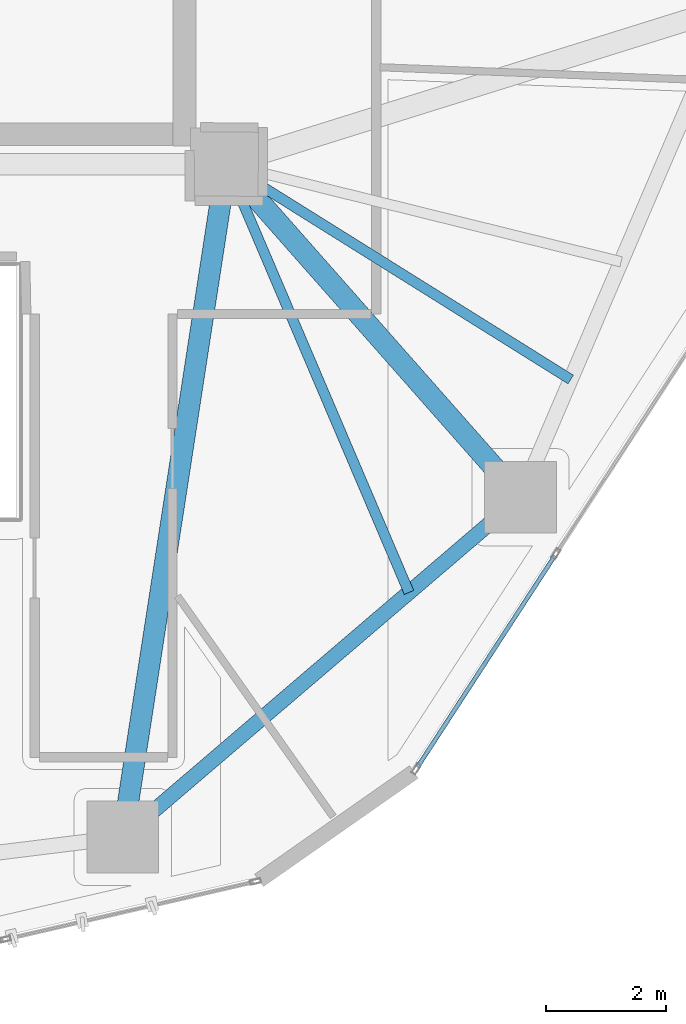
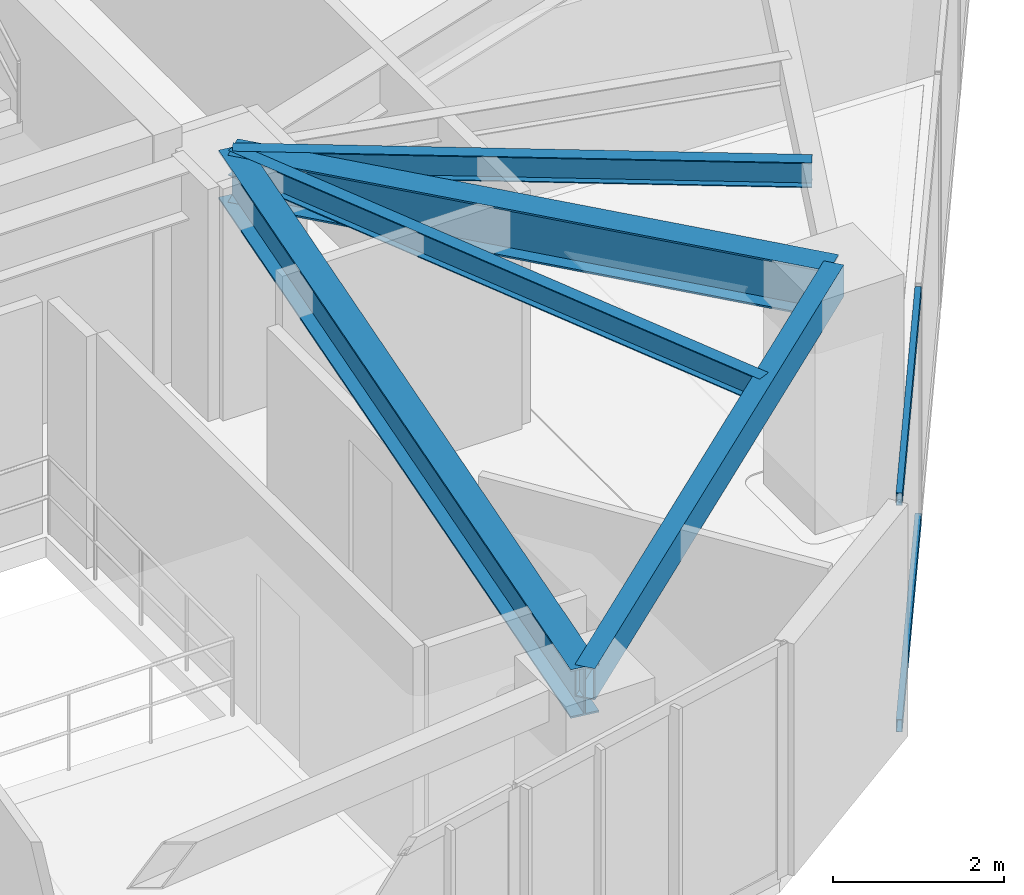
# One storey, part 7 of 21: 5 beams, 2 members, 1 element without a shape of its own.
"""IFC4 building model written with IfcOpenShell, lengths in metres."""

from ifc_helpers import new_model, si_unit, direction, frame, origin, origin_2d, place, context, subcontext, project, spatial, hollow_rectangle, i_section, extrude, source, transform, mapped, material, layer, layer_set, material_profile, profile_set, type_object, type_shapes, element, aggregate, save


model = new_model("IFC4")

# Units and contexts
model_context = context("Model", 3, precision=1e-05, world=origin(), true_north=direction((0.0, 1.0)))
body_context = subcontext(model_context, "Body", "Model", "MODEL_VIEW")
ifc_project = project(units=[si_unit("LENGTHUNIT", "METRE"), si_unit("AREAUNIT", "SQUARE_METRE"), si_unit("VOLUMEUNIT", "CUBIC_METRE"), si_unit("PLANEANGLEUNIT", "RADIAN"), si_unit("MASSUNIT", "GRAM", prefix="KILO")], contexts=[model_context])

# Site, building, storey
site_placement = place(None, origin())
site = spatial("IfcSite", under=ifc_project, at=site_placement, CompositionType="ELEMENT")
building_placement = place(site_placement, origin())
building = spatial("IfcBuilding", under=site, at=building_placement, Name="Talar Marvaseh", CompositionType="ELEMENT")
storey_placement = place(building_placement, frame((0.0, 0.0, 129.0)))
storey = spatial("IfcBuildingStorey", under=building, at=storey_placement, Name="L33", CompositionType="ELEMENT", Elevation=129.0)

# Beams
ifc_material_1 = material(Name="Steel S355", Category="steel")
ifc_material_profile_1 = material_profile(ifc_material_1, hollow_rectangle(XDim=0.25, YDim=0.449951171875, WallThickness=0.01611328125, at=origin_2d()), Name="RHS450x250x16")
ifc_profile_set_1 = profile_set([ifc_material_profile_1], Name="Steel S355")
beam_type_1 = type_object("IfcBeamType", Name="Zone 2 Perimeter Spandrel Beam RHS450x250x16", PredefinedType="SPANDREL", material=ifc_profile_set_1)
beam_1_placement = place(storey_placement, frame((38.2060546875, 19.94091796875, 3.0849609375), z_axis=(-0.76011265597, -0.649791312833, 0.0), x_axis=(0.649791312833, -0.76011265597, 0.0)))
element("IfcBeam", 1, at=beam_1_placement, inside=storey, type_object=beam_type_1, Name="L33 Zone 2 Perimeter Spandrel Beam RHS450x250x16", PredefinedType="SPANDREL", context=body_context, shape_type="SweptSolid", body=[
    extrude(hollow_rectangle(XDim=0.25, YDim=0.449951171875, WallThickness=0.01611328125, at=origin_2d()), origin(), (0.0, 0.0, 1.0), 8.730224609375),
])
ifc_material_profile_2 = material_profile(ifc_material_1, i_section(OverallWidth=0.35498046875, OverallDepth=0.695068359375, WebThickness=0.015380859375, FlangeThickness=0.02490234375, at=origin_2d()), Name="W690x217")
ifc_profile_set_2 = profile_set([ifc_material_profile_2], Name="Steel S355")
beam_type_2 = type_object("IfcBeamType", Name="Zone 2 Radial Floor Girder W690x217", PredefinedType="BEAM", material=ifc_profile_set_2)
beam_2_placement = place(storey_placement, frame((38.2060546875, 19.94091796875, 2.96240234375), z_axis=(-0.661692423388, 0.749775390921, 0.0), x_axis=(-0.749775390921, -0.661692423388, 0.0)))
element("IfcBeam", 2, at=beam_2_placement, inside=storey, type_object=beam_type_2, Name="L33 Zone 2 Radial Floor Girder W690x217", PredefinedType="BEAM", context=body_context, shape_type="SweptSolid", body=[
    extrude(i_section(OverallWidth=0.35498046875, OverallDepth=0.695068359375, WebThickness=0.015380859375, FlangeThickness=0.02490234375, at=origin_2d()), origin(), (0.0, 0.0, 1.0), 7.414306640625),
])
beam_3_placement = place(storey_placement, frame((31.570068359375, 14.26806640625, 2.96240234375), z_axis=(0.152228300633, 0.98834535689, 0.0), x_axis=(-0.98834535689, 0.152228300633, 0.0)))
element("IfcBeam", 3, at=beam_3_placement, inside=storey, type_object=beam_type_2, Name="L33 Zone 2 Radial Floor Girder W690x217", PredefinedType="BEAM", context=body_context, shape_type="SweptSolid", body=[
    extrude(i_section(OverallWidth=0.35498046875, OverallDepth=0.695068359375, WebThickness=0.015380859375, FlangeThickness=0.02490234375, at=origin_2d()), origin(), (0.0, 0.0, 1.0), 11.364501953125),
])
ifc_material_profile_3 = material_profile(ifc_material_1, i_section(OverallWidth=0.172119140625, OverallDepth=0.35791015625, WebThickness=0.0078125, FlangeThickness=0.01318359375, at=origin_2d()), Name="W360x57")
ifc_profile_set_3 = profile_set([ifc_material_profile_3], Name="Steel S355")
beam_type_3 = type_object("IfcBeamType", Name="Zone 2 Secondary Floor Joist W360x57", PredefinedType="JOIST", material=ifc_profile_set_3)
beam_4_placement = place(storey_placement, frame((39.046630859375, 21.906005859375, 3.131103515625), z_axis=(-0.84784042564, 0.530251461715, 0.0), x_axis=(-0.530251461715, -0.84784042564, 0.0)))
element("IfcBeam", 4, at=beam_4_placement, inside=storey, type_object=beam_type_3, Name="L33 Zone 2 Secondary Floor Joist W360x57", PredefinedType="JOIST", context=body_context, shape_type="SweptSolid", body=[
    extrude(i_section(OverallWidth=0.172119140625, OverallDepth=0.35791015625, WebThickness=0.0078125, FlangeThickness=0.01318359375, at=origin_2d()), origin(), (0.0, 0.0, 1.0), 6.77783203125),
])
beam_5_placement = place(storey_placement, frame((36.347900390625, 18.3525390625, 3.131103515625), z_axis=(-0.39225012708, 0.919858596636, 0.0), x_axis=(-0.919858596636, -0.39225012708, 0.0)))
element("IfcBeam", 5, at=beam_5_placement, inside=storey, type_object=beam_type_3, Name="L33 Zone 2 Secondary Floor Joist W360x57", PredefinedType="JOIST", context=body_context, shape_type="SweptSolid", body=[
    extrude(i_section(OverallWidth=0.172119140625, OverallDepth=0.35791015625, WebThickness=0.0078125, FlangeThickness=0.01318359375, at=origin_2d()), origin(), (0.0, 0.0, 1.0), 7.770263671875),
])

# Curtain wall, members
ifc_material_2 = material(Name="Architectural Aluminium", Category="aluminium")
ifc_layer = layer(ifc_material_2, 0.199951171875)
ifc_layer_set = layer_set([ifc_layer], Name="Architectural Aluminium")
curtain_wall_type = type_object("IfcCurtainWallType", Name="Unitised Acoustic Library Curtain Wall Z2", PredefinedType="NOTDEFINED", material=ifc_layer_set)
curtain_wall_placement = place(storey_placement, origin())
curtain_wall = element("IfcCurtainWall", 6, at=curtain_wall_placement, inside=storey, type_object=curtain_wall_type, Name="L33 Unitised Acoustic Library Curtain Wall Z2", PredefinedType="NOTDEFINED")
ifc_material_profile_4 = material_profile(ifc_material_2, hollow_rectangle(XDim=0.074951171875, YDim=0.179931640625, WallThickness=0.0048828125, at=origin_2d()), Name="RHS180x75x5")
ifc_profile_set_4 = profile_set([ifc_material_profile_4], Name="Architectural Aluminium")
member_type = type_object("IfcMemberType", Name="Unitised Curtain Wall Transom RHS180x75x5", PredefinedType="USERDEFINED", material=ifc_profile_set_4)
shared_shape = source(origin(), body_context, "Body", "SweptSolid", [
    extrude(hollow_rectangle(XDim=0.074951171875, YDim=0.179931640625, WallThickness=0.0048828125, at=origin_2d()), origin(), (0.0, 0.0, 1.0), 4.2109375),
])
type_shapes(member_type, [shared_shape])
member_1_placement = place(storey_placement, frame((38.780517578125, 18.966064453125, 0.03759765625), z_axis=(-0.544760087109, -0.838591943375, 0.0), x_axis=(0.838591943375, -0.544760087109, 0.0)))
member_1 = element("IfcMember", 7, at=member_1_placement, type_object=member_type, Name="CW-Z2 transom 5.1", ObjectType="TRANSOM", PredefinedType="USERDEFINED", context=body_context, shape_type="MappedRepresentation", body=[
    mapped(shared_shape, transform((0.0, 0.0, 0.0), x_axis=(1.0, 0.0, 0.0), y_axis=(0.0, 1.0, 0.0), z_axis=(0.0, 0.0, 1.0), scale=1.0)),
])
member_2_placement = place(storey_placement, frame((38.780517578125, 18.966064453125, 3.2724609375), z_axis=(-0.544760087109, -0.838591943375, 0.0), x_axis=(0.838591943375, -0.544760087109, 0.0)))
member_2 = element("IfcMember", 8, at=member_2_placement, type_object=member_type, Name="CW-Z2 transom 5.2", ObjectType="TRANSOM", PredefinedType="USERDEFINED", context=body_context, shape_type="MappedRepresentation", body=[
    mapped(shared_shape, transform((0.0, 0.0, 0.0), x_axis=(1.0, 0.0, 0.0), y_axis=(0.0, 1.0, 0.0), z_axis=(0.0, 0.0, 1.0), scale=1.0)),
])
aggregate(curtain_wall, [member_1, member_2])

save(model, "model.ifc")
